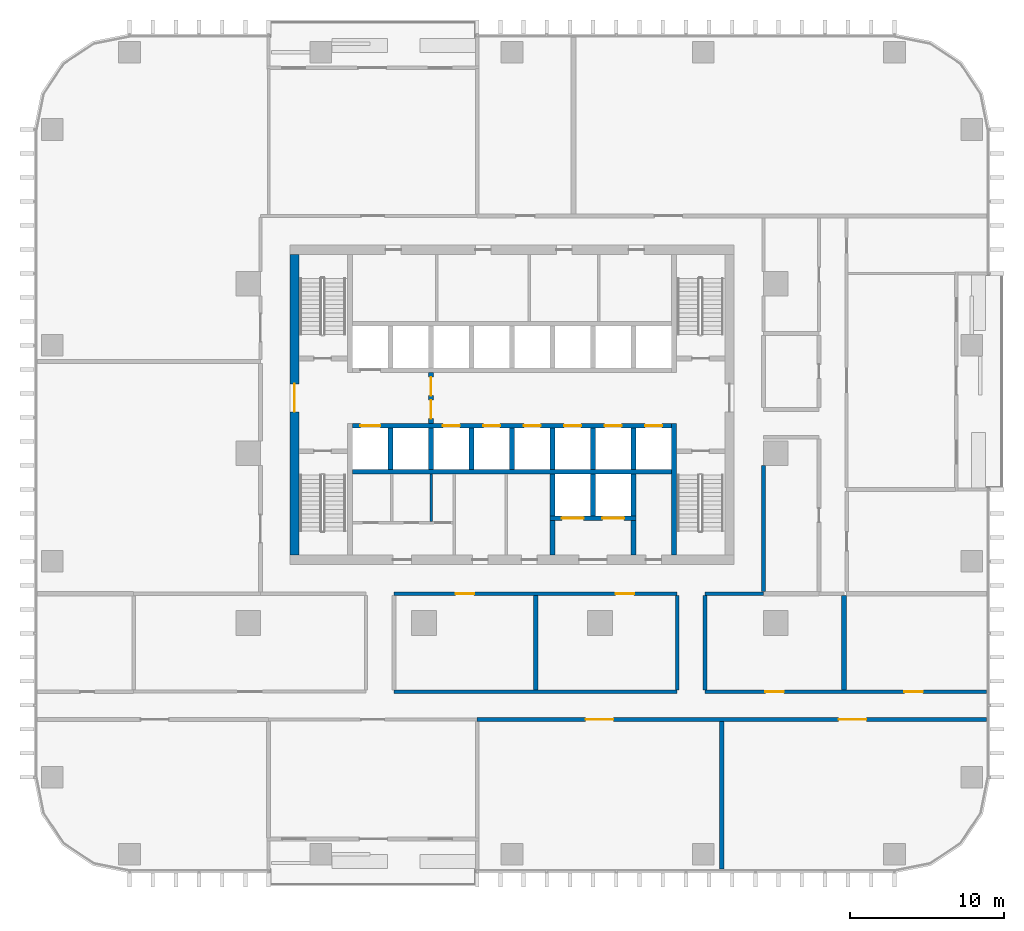
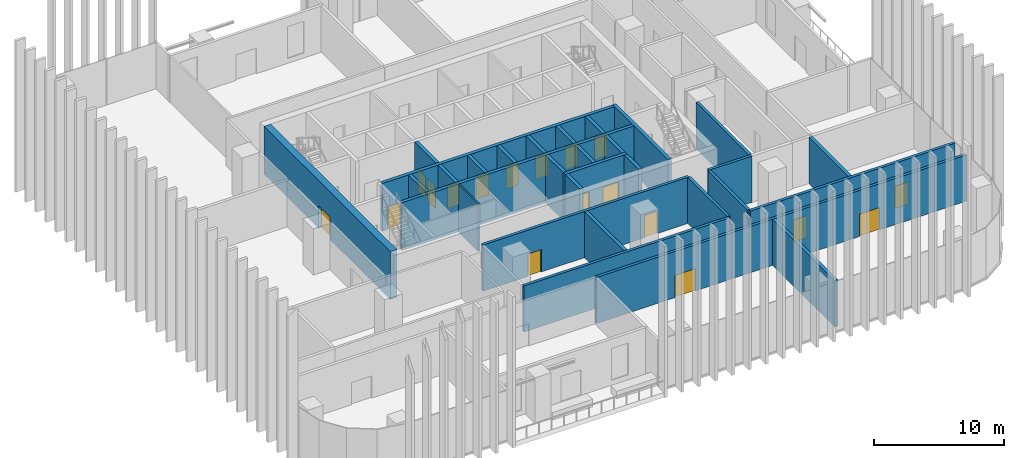
# One storey, part 8 of 17: 30 walls, 18 doors, 18 openings.
"""IFC4 building model written with IfcOpenShell, lengths in metres."""

from ifc_helpers import new_model, si_unit, direction, frame, frame_2d, origin, place, context, subcontext, project, spatial, rectangle, extrude, material, layer, layer_set, type_object, element, fill, save


model = new_model("IFC4")

# Units and contexts
model_context = context("Model", 3, precision=1e-05, world=origin(), true_north=direction((0.0, 1.0)))
body_context = subcontext(model_context, "Body", "Model", "MODEL_VIEW")
ifc_project = project(units=[si_unit("LENGTHUNIT", "METRE"), si_unit("AREAUNIT", "SQUARE_METRE"), si_unit("VOLUMEUNIT", "CUBIC_METRE"), si_unit("PLANEANGLEUNIT", "RADIAN"), si_unit("MASSUNIT", "GRAM", prefix="KILO")], contexts=[model_context])

# Site, building, storey
site_placement = place(None, origin())
site = spatial("IfcSite", under=ifc_project, at=site_placement, CompositionType="ELEMENT")
building_placement = place(site_placement, origin())
building = spatial("IfcBuilding", under=site, at=building_placement, Name="Mopane Tessera Tower", CompositionType="ELEMENT")
storey_placement = place(building_placement, frame((0.0, 0.0, 74.199951171875)))
storey = spatial("IfcBuildingStorey", under=building, at=storey_placement, Name="L14", CompositionType="ELEMENT", Elevation=74.199951171875)

# Wall
ifc_material_1 = material(Name="Fire-rated gypsum board partition")
ifc_layer_1 = layer(ifc_material_1, 0.14990234375)
ifc_layer_set_1 = layer_set([ifc_layer_1], Name="Fire-rated gypsum board partition")
wall_type_1 = type_object("IfcWallType", Name="Core room partition 150 mm", PredefinedType="PARTITIONING", material=ifc_layer_set_1)
wall_1_placement = place(storey_placement, frame((-5.235107421875, -4.425048828125, 0.0), z_axis=(0.0, 0.0, 1.0), x_axis=(0.0, 1.0, 0.0)))
element("IfcWall", 1, at=wall_1_placement, inside=storey, type_object=wall_type_1, Name="L14 WC partition", PredefinedType="PARTITIONING", context=body_context, shape_type="SweptSolid", body=[
    extrude(rectangle(XDim=3.074951171875, YDim=0.14990234375, at=frame_2d((1.53759765625, 0.0))), origin(), (0.0, 0.0, 1.0), 4.5),
])

# Wall, opening, door
ifc_material_2 = material(Name="Concrete C70/85", Category="concrete")
ifc_layer_2 = layer(ifc_material_2, 0.60009765625)
ifc_layer_set_2 = layer_set([ifc_layer_2], Name="Concrete C70/85")
wall_type_2 = type_object("IfcWallType", Name="Core shear wall 600 mm", PredefinedType="SHEAR", material=ifc_layer_set_2)
wall_2_placement = place(storey_placement, frame((-14.10009765625, -6.60009765625, 0.0), z_axis=(0.0, 0.0, 1.0), x_axis=(0.0, 1.0, 0.0)))
wall_2 = element("IfcWall", 2, at=wall_2_placement, inside=storey, type_object=wall_type_2, Name="L14 Core wall west", PredefinedType="SHEAR", context=body_context, shape_type="SweptSolid", body=[
    extrude(rectangle(XDim=19.5, YDim=0.60009765625, at=frame_2d((9.75, 0.0))), origin(), (0.0, 0.0, 1.0), 4.5),
])
opening_1_placement = place(wall_2_placement, frame((9.300048828125, 0.0, 0.0)))
opening_1 = element("IfcOpeningElement", 3, at=opening_1_placement, cuts=wall_2, Name="Opening SD2", PredefinedType="OPENING", context=body_context, shape_type="SweptSolid", body=[
    extrude(rectangle(XDim=1.800048828125, YDim=2.10009765625, at=frame_2d((0.89990234375, 1.050048828125))), frame((0.0, 0.31201171875, 0.0), z_axis=(0.0, -1.0, 0.0), x_axis=(1.0, 0.0, 0.0)), (0.0, 0.0, 1.0), 0.6240234375),
])
ifc_material_3 = material(Name="Steel fire door", Category="steel")
door_type_1 = type_object("IfcDoorType", Name="Core entrance double door 1800 x 2100", OperationType="DOUBLE_DOOR_SINGLE_SWING", PredefinedType="DOOR", material=ifc_material_3)
door_1_placement = place(opening_1_placement, origin())
door_1 = element("IfcDoor", 4, at=door_1_placement, inside=storey, type_object=door_type_1, Name="L14 Core entrance door west", OperationType="DOUBLE_DOOR_SINGLE_SWING", OverallHeight=2.10009765625, OverallWidth=1.800048828125, PredefinedType="DOOR", context=body_context, shape_type="SweptSolid", body=[
    extrude(rectangle(XDim=1.800048828125, YDim=2.10009765625, at=frame_2d((0.89990234375, 1.050048828125))), frame((0.0, 0.02490234375, 0.0), z_axis=(0.0, -1.0, 0.0), x_axis=(1.0, 0.0, 0.0)), (0.0, 0.0, 1.0), 0.050048828125),
])
fill(opening_1, door_1)

# Walls
ifc_material_4 = material(Name="Concrete C60/75", Category="concrete")
ifc_layer_3 = layer(ifc_material_4, 0.300048828125)
ifc_layer_set_3 = layer_set([ifc_layer_3], Name="Concrete C60/75")
wall_type_3 = type_object("IfcWallType", Name="Core spine wall 300 mm", PredefinedType="SHEAR", material=ifc_layer_set_3)
wall_3_placement = place(storey_placement, frame((10.5, -6.60009765625, 0.0), z_axis=(0.0, 0.0, 1.0), x_axis=(0.0, 1.0, 0.0)))
element("IfcWall", 5, at=wall_3_placement, inside=storey, type_object=wall_type_3, Name="L14 Core spine wall", PredefinedType="SHEAR", context=body_context, shape_type="SweptSolid", body=[
    extrude(rectangle(XDim=8.550048828125, YDim=0.300048828125, at=frame_2d((4.27490234375, 0.0))), origin(), (0.0, 0.0, 1.0), 4.5),
])
ifc_material_5 = material(Name="Concrete C50/60", Category="concrete")
ifc_layer_4 = layer(ifc_material_5, 0.300048828125)
ifc_layer_set_4 = layer_set([ifc_layer_4], Name="Concrete C50/60")
wall_type_4 = type_object("IfcWallType", Name="Lift and stair shaft wall 300 mm", PredefinedType="SOLIDWALL", material=ifc_layer_set_4)
wall_4_placement = place(storey_placement, frame((-10.35009765625, -1.199951171875, 0.0), z_axis=(0.0, 0.0, 1.0), x_axis=(1.0, 0.0, 0.0)))
element("IfcWall", 6, at=wall_4_placement, inside=storey, type_object=wall_type_4, Name="L14 Lift shaft rear wall", PredefinedType="SOLIDWALL", context=body_context, shape_type="SweptSolid", body=[
    extrude(rectangle(XDim=20.7001953125, YDim=0.300048828125, at=frame_2d((10.35009765625, 0.0))), origin(), (0.0, 0.0, 1.0), 4.5),
])

# Wall, openings, doors
wall_5_placement = place(storey_placement, frame((-10.35009765625, 1.800048828125, 0.0), z_axis=(0.0, 0.0, 1.0), x_axis=(1.0, 0.0, 0.0)))
wall_5 = element("IfcWall", 7, at=wall_5_placement, inside=storey, type_object=wall_type_4, Name="L14 Lift shaft front wall", PredefinedType="SOLIDWALL", context=body_context, shape_type="SweptSolid", body=[
    extrude(rectangle(XDim=20.7001953125, YDim=0.300048828125, at=frame_2d((10.35009765625, 0.0))), origin(), (0.0, 0.0, 1.0), 4.5),
])
opening_2_placement = place(wall_5_placement, frame((0.512451171875, 0.0, 0.0)))
opening_2 = element("IfcOpeningElement", 8, at=opening_2_placement, cuts=wall_5, Name="Opening LD2", PredefinedType="OPENING", context=body_context, shape_type="SweptSolid", body=[
    extrude(rectangle(XDim=1.300048828125, YDim=2.10009765625, at=frame_2d((0.64990234375, 1.050048828125))), frame((0.0, 0.162109375, 0.0), z_axis=(0.0, -1.0, 0.0), x_axis=(1.0, 0.0, 0.0)), (0.0, 0.0, 1.0), 0.323974609375),
])
opening_3_placement = place(wall_5_placement, frame((5.862548828125, 0.0, 0.0)))
opening_3 = element("IfcOpeningElement", 9, at=opening_3_placement, cuts=wall_5, Name="Opening LD", PredefinedType="OPENING", context=body_context, shape_type="SweptSolid", body=[
    extrude(rectangle(XDim=1.10009765625, YDim=2.10009765625, at=frame_2d((0.550048828125, 1.050048828125))), frame((0.0, 0.162109375, 0.0), z_axis=(0.0, -1.0, 0.0), x_axis=(1.0, 0.0, 0.0)), (0.0, 0.0, 1.0), 0.323974609375),
])
opening_4_placement = place(wall_5_placement, frame((8.487548828125, 0.0, 0.0)))
opening_4 = element("IfcOpeningElement", 10, at=opening_4_placement, cuts=wall_5, Name="Opening LD", PredefinedType="OPENING", context=body_context, shape_type="SweptSolid", body=[
    extrude(rectangle(XDim=1.10009765625, YDim=2.10009765625, at=frame_2d((0.550048828125, 1.050048828125))), frame((0.0, 0.162109375, 0.0), z_axis=(0.0, -1.0, 0.0), x_axis=(1.0, 0.0, 0.0)), (0.0, 0.0, 1.0), 0.323974609375),
])
opening_5_placement = place(wall_5_placement, frame((11.112548828125, 0.0, 0.0)))
opening_5 = element("IfcOpeningElement", 11, at=opening_5_placement, cuts=wall_5, Name="Opening LD", PredefinedType="OPENING", context=body_context, shape_type="SweptSolid", body=[
    extrude(rectangle(XDim=1.10009765625, YDim=2.10009765625, at=frame_2d((0.550048828125, 1.050048828125))), frame((0.0, 0.162109375, 0.0), z_axis=(0.0, -1.0, 0.0), x_axis=(1.0, 0.0, 0.0)), (0.0, 0.0, 1.0), 0.323974609375),
])
opening_6_placement = place(wall_5_placement, frame((13.737548828125, 0.0, 0.0)))
opening_6 = element("IfcOpeningElement", 12, at=opening_6_placement, cuts=wall_5, Name="Opening LD", PredefinedType="OPENING", context=body_context, shape_type="SweptSolid", body=[
    extrude(rectangle(XDim=1.10009765625, YDim=2.10009765625, at=frame_2d((0.550048828125, 1.050048828125))), frame((0.0, 0.162109375, 0.0), z_axis=(0.0, -1.0, 0.0), x_axis=(1.0, 0.0, 0.0)), (0.0, 0.0, 1.0), 0.323974609375),
])
opening_7_placement = place(wall_5_placement, frame((16.362548828125, 0.0, 0.0)))
opening_7 = element("IfcOpeningElement", 13, at=opening_7_placement, cuts=wall_5, Name="Opening LD", PredefinedType="OPENING", context=body_context, shape_type="SweptSolid", body=[
    extrude(rectangle(XDim=1.10009765625, YDim=2.10009765625, at=frame_2d((0.550048828125, 1.050048828125))), frame((0.0, 0.162109375, 0.0), z_axis=(0.0, -1.0, 0.0), x_axis=(1.0, 0.0, 0.0)), (0.0, 0.0, 1.0), 0.323974609375),
])
opening_8_placement = place(wall_5_placement, frame((18.987548828125, 0.0, 0.0)))
opening_8 = element("IfcOpeningElement", 14, at=opening_8_placement, cuts=wall_5, Name="Opening LD", PredefinedType="OPENING", context=body_context, shape_type="SweptSolid", body=[
    extrude(rectangle(XDim=1.10009765625, YDim=2.10009765625, at=frame_2d((0.550048828125, 1.050048828125))), frame((0.0, 0.162109375, 0.0), z_axis=(0.0, -1.0, 0.0), x_axis=(1.0, 0.0, 0.0)), (0.0, 0.0, 1.0), 0.323974609375),
])
ifc_material_6 = material(Name="Stainless steel sliding door", Category="steel")
door_type_2 = type_object("IfcDoorType", Name="Fire-fighting lift landing door 1300 x 2100", OperationType="DOUBLE_DOOR_SLIDING", PredefinedType="DOOR", material=ifc_material_6)
door_2_placement = place(opening_2_placement, origin())
door_2 = element("IfcDoor", 15, at=door_2_placement, inside=storey, type_object=door_type_2, Name="L14 Lift landing door FF1", OperationType="DOUBLE_DOOR_SLIDING", OverallHeight=2.10009765625, OverallWidth=1.300048828125, PredefinedType="DOOR", context=body_context, shape_type="SweptSolid", body=[
    extrude(rectangle(XDim=1.300048828125, YDim=2.10009765625, at=frame_2d((0.64990234375, 1.050048828125))), frame((0.0, 0.02490234375, 0.0), z_axis=(0.0, -1.0, 0.0), x_axis=(1.0, 0.0, 0.0)), (0.0, 0.0, 1.0), 0.050048828125),
])
fill(opening_2, door_2)
ifc_material_7 = material(Name="Stainless steel sliding door", Category="steel")
door_type_3 = type_object("IfcDoorType", Name="Lift landing door 1100 x 2100", OperationType="DOUBLE_DOOR_SLIDING", PredefinedType="DOOR", material=ifc_material_7)
door_3_placement = place(opening_3_placement, origin())
door_3 = element("IfcDoor", 16, at=door_3_placement, inside=storey, type_object=door_type_3, Name="L14 Lift landing door LR1", OperationType="DOUBLE_DOOR_SLIDING", OverallHeight=2.10009765625, OverallWidth=1.10009765625, PredefinedType="DOOR", context=body_context, shape_type="SweptSolid", body=[
    extrude(rectangle(XDim=1.10009765625, YDim=2.10009765625, at=frame_2d((0.550048828125, 1.050048828125))), frame((0.0, 0.02490234375, 0.0), z_axis=(0.0, -1.0, 0.0), x_axis=(1.0, 0.0, 0.0)), (0.0, 0.0, 1.0), 0.050048828125),
])
fill(opening_3, door_3)
door_4_placement = place(opening_4_placement, origin())
door_4 = element("IfcDoor", 17, at=door_4_placement, inside=storey, type_object=door_type_3, Name="L14 Lift landing door LR2", OperationType="DOUBLE_DOOR_SLIDING", OverallHeight=2.10009765625, OverallWidth=1.10009765625, PredefinedType="DOOR", context=body_context, shape_type="SweptSolid", body=[
    extrude(rectangle(XDim=1.10009765625, YDim=2.10009765625, at=frame_2d((0.550048828125, 1.050048828125))), frame((0.0, 0.02490234375, 0.0), z_axis=(0.0, -1.0, 0.0), x_axis=(1.0, 0.0, 0.0)), (0.0, 0.0, 1.0), 0.050048828125),
])
fill(opening_4, door_4)
door_5_placement = place(opening_5_placement, origin())
door_5 = element("IfcDoor", 18, at=door_5_placement, inside=storey, type_object=door_type_3, Name="L14 Lift landing door LR3", OperationType="DOUBLE_DOOR_SLIDING", OverallHeight=2.10009765625, OverallWidth=1.10009765625, PredefinedType="DOOR", context=body_context, shape_type="SweptSolid", body=[
    extrude(rectangle(XDim=1.10009765625, YDim=2.10009765625, at=frame_2d((0.550048828125, 1.050048828125))), frame((0.0, 0.02490234375, 0.0), z_axis=(0.0, -1.0, 0.0), x_axis=(1.0, 0.0, 0.0)), (0.0, 0.0, 1.0), 0.050048828125),
])
fill(opening_5, door_5)
door_6_placement = place(opening_6_placement, origin())
door_6 = element("IfcDoor", 19, at=door_6_placement, inside=storey, type_object=door_type_3, Name="L14 Lift landing door LR4", OperationType="DOUBLE_DOOR_SLIDING", OverallHeight=2.10009765625, OverallWidth=1.10009765625, PredefinedType="DOOR", context=body_context, shape_type="SweptSolid", body=[
    extrude(rectangle(XDim=1.10009765625, YDim=2.10009765625, at=frame_2d((0.550048828125, 1.050048828125))), frame((0.0, 0.02490234375, 0.0), z_axis=(0.0, -1.0, 0.0), x_axis=(1.0, 0.0, 0.0)), (0.0, 0.0, 1.0), 0.050048828125),
])
fill(opening_6, door_6)
door_7_placement = place(opening_7_placement, origin())
door_7 = element("IfcDoor", 20, at=door_7_placement, inside=storey, type_object=door_type_3, Name="L14 Lift landing door LR5", OperationType="DOUBLE_DOOR_SLIDING", OverallHeight=2.10009765625, OverallWidth=1.10009765625, PredefinedType="DOOR", context=body_context, shape_type="SweptSolid", body=[
    extrude(rectangle(XDim=1.10009765625, YDim=2.10009765625, at=frame_2d((0.550048828125, 1.050048828125))), frame((0.0, 0.02490234375, 0.0), z_axis=(0.0, -1.0, 0.0), x_axis=(1.0, 0.0, 0.0)), (0.0, 0.0, 1.0), 0.050048828125),
])
fill(opening_7, door_7)
door_8_placement = place(opening_8_placement, origin())
door_8 = element("IfcDoor", 21, at=door_8_placement, inside=storey, type_object=door_type_3, Name="L14 Lift landing door LR6", OperationType="DOUBLE_DOOR_SLIDING", OverallHeight=2.10009765625, OverallWidth=1.10009765625, PredefinedType="DOOR", context=body_context, shape_type="SweptSolid", body=[
    extrude(rectangle(XDim=1.10009765625, YDim=2.10009765625, at=frame_2d((0.550048828125, 1.050048828125))), frame((0.0, 0.02490234375, 0.0), z_axis=(0.0, -1.0, 0.0), x_axis=(1.0, 0.0, 0.0)), (0.0, 0.0, 1.0), 0.050048828125),
])
fill(opening_8, door_8)

# Walls
for number, where, z_axis, x_axis, name in (
    (22, (-7.875, -1.050048828125, 0.0), (0.0, 0.0, 1.0), (0.0, 1.0, 0.0), "L14 Lift shaft wall"),
    (23, (-5.25, -1.050048828125, 0.0), (0.0, 0.0, 1.0), (0.0, 1.0, 0.0), "L14 Lift shaft wall"),
    (24, (-2.625, -1.050048828125, 0.0), (0.0, 0.0, 1.0), (0.0, 1.0, 0.0), "L14 Lift shaft wall"),
    (25, (0.0, -1.050048828125, 0.0), (0.0, 0.0, 1.0), (0.0, 1.0, 0.0), "L14 Lift shaft wall"),
    (26, (2.625, -1.050048828125, 0.0), (0.0, 0.0, 1.0), (0.0, 1.0, 0.0), "L14 Lift shaft wall"),
    (27, (5.25, -1.050048828125, 0.0), (0.0, 0.0, 1.0), (0.0, 1.0, 0.0), "L14 Lift shaft wall"),
    (28, (7.875, -1.050048828125, 0.0), (0.0, 0.0, 1.0), (0.0, 1.0, 0.0), "L14 Lift shaft wall"),
):
    element("IfcWall", number, at=place(storey_placement, frame(where, z_axis=z_axis, x_axis=x_axis)), inside=storey, type_object=wall_type_4, Name=name, PredefinedType="SOLIDWALL", context=body_context, shape_type="SweptSolid", body=[
        extrude(rectangle(XDim=2.699951171875, YDim=0.300048828125, at=frame_2d((1.35009765625, 0.0))), origin(), (0.0, 0.0, 1.0), 4.5),
    ])

# Wall, openings, doors
wall_6_placement = place(storey_placement, frame((2.47509765625, -4.199951171875, 0.0), z_axis=(0.0, 0.0, 1.0), x_axis=(1.0, 0.0, 0.0)))
wall_6 = element("IfcWall", 29, at=wall_6_placement, inside=storey, type_object=wall_type_4, Name="L14 Lift shaft front wall", PredefinedType="SOLIDWALL", context=body_context, shape_type="SweptSolid", body=[
    extrude(rectangle(XDim=5.5498046875, YDim=0.300048828125, at=frame_2d((2.77490234375, 0.0))), origin(), (0.0, 0.0, 1.0), 4.5),
])
opening_9_placement = place(wall_6_placement, frame((0.762451171875, 0.0, 0.0)))
opening_9 = element("IfcOpeningElement", 30, at=opening_9_placement, cuts=wall_6, Name="Opening LD3", PredefinedType="OPENING", context=body_context, shape_type="SweptSolid", body=[
    extrude(rectangle(XDim=1.39990234375, YDim=2.10009765625, at=frame_2d((0.699951171875, 1.050048828125))), frame((0.0, 0.162109375, 0.0), z_axis=(0.0, -1.0, 0.0), x_axis=(1.0, 0.0, 0.0)), (0.0, 0.0, 1.0), 0.323974609375),
])
opening_10_placement = place(wall_6_placement, frame((3.387451171875, 0.0, 0.0)))
opening_10 = element("IfcOpeningElement", 31, at=opening_10_placement, cuts=wall_6, Name="Opening LD3", PredefinedType="OPENING", context=body_context, shape_type="SweptSolid", body=[
    extrude(rectangle(XDim=1.39990234375, YDim=2.10009765625, at=frame_2d((0.699951171875, 1.050048828125))), frame((0.0, 0.162109375, 0.0), z_axis=(0.0, -1.0, 0.0), x_axis=(1.0, 0.0, 0.0)), (0.0, 0.0, 1.0), 0.323974609375),
])
ifc_material_8 = material(Name="Stainless steel sliding door", Category="steel")
door_type_4 = type_object("IfcDoorType", Name="Service lift landing door 1400 x 2100", OperationType="DOUBLE_DOOR_SLIDING", PredefinedType="DOOR", material=ifc_material_8)
door_9_placement = place(opening_9_placement, origin())
door_9 = element("IfcDoor", 32, at=door_9_placement, inside=storey, type_object=door_type_4, Name="L14 Lift landing door SV1", OperationType="DOUBLE_DOOR_SLIDING", OverallHeight=2.10009765625, OverallWidth=1.39990234375, PredefinedType="DOOR", context=body_context, shape_type="SweptSolid", body=[
    extrude(rectangle(XDim=1.39990234375, YDim=2.10009765625, at=frame_2d((0.699951171875, 1.050048828125))), frame((0.0, 0.02490234375, 0.0), z_axis=(0.0, -1.0, 0.0), x_axis=(1.0, 0.0, 0.0)), (0.0, 0.0, 1.0), 0.050048828125),
])
fill(opening_9, door_9)
door_10_placement = place(opening_10_placement, origin())
door_10 = element("IfcDoor", 33, at=door_10_placement, inside=storey, type_object=door_type_4, Name="L14 Lift landing door SV2", OperationType="DOUBLE_DOOR_SLIDING", OverallHeight=2.10009765625, OverallWidth=1.39990234375, PredefinedType="DOOR", context=body_context, shape_type="SweptSolid", body=[
    extrude(rectangle(XDim=1.39990234375, YDim=2.10009765625, at=frame_2d((0.699951171875, 1.050048828125))), frame((0.0, 0.02490234375, 0.0), z_axis=(0.0, -1.0, 0.0), x_axis=(1.0, 0.0, 0.0)), (0.0, 0.0, 1.0), 0.050048828125),
])
fill(opening_10, door_10)

# Walls
for number, where, z_axis, x_axis, name in (
    (34, (2.625, -4.050048828125, 0.0), (0.0, 0.0, 1.0), (0.0, 1.0, 0.0), "L14 Lift shaft wall"),
    (35, (5.25, -4.050048828125, 0.0), (0.0, 0.0, 1.0), (0.0, 1.0, 0.0), "L14 Lift shaft wall"),
    (36, (7.875, -4.050048828125, 0.0), (0.0, 0.0, 1.0), (0.0, 1.0, 0.0), "L14 Lift shaft wall"),
):
    element("IfcWall", number, at=place(storey_placement, frame(where, z_axis=z_axis, x_axis=x_axis)), inside=storey, type_object=wall_type_4, Name=name, PredefinedType="SOLIDWALL", context=body_context, shape_type="SweptSolid", body=[
        extrude(rectangle(XDim=2.699951171875, YDim=0.300048828125, at=frame_2d((1.35009765625, 0.0))), origin(), (0.0, 0.0, 1.0), 4.5),
    ])

# Wall, openings, doors
ifc_material_9 = material(Name="Concrete C50/60", Category="concrete")
ifc_layer_5 = layer(ifc_material_9, 0.300048828125)
ifc_layer_set_5 = layer_set([ifc_layer_5], Name="Concrete C50/60")
wall_type_5 = type_object("IfcWallType", Name="Lobby and refuge room wall 300 mm", PredefinedType="SOLIDWALL", material=ifc_layer_set_5)
wall_7_placement = place(storey_placement, frame((-5.25, 1.949951171875, 0.0), z_axis=(0.0, 0.0, 1.0), x_axis=(0.0, 1.0, 0.0)))
wall_7 = element("IfcWall", 37, at=wall_7_placement, inside=storey, type_object=wall_type_5, Name="L14 Fire-fighting lobby wall", PredefinedType="SOLIDWALL", context=body_context, shape_type="SweptSolid", body=[
    extrude(rectangle(XDim=3.300048828125, YDim=0.300048828125, at=frame_2d((1.64990234375, 0.0))), origin(), (0.0, 0.0, 1.0), 4.5),
])
opening_11_placement = place(wall_7_placement, frame((0.300048828125, 0.0, 0.0)))
opening_11 = element("IfcOpeningElement", 38, at=opening_11_placement, cuts=wall_7, Name="Opening SD3", PredefinedType="OPENING", context=body_context, shape_type="SweptSolid", body=[
    extrude(rectangle(XDim=1.199951171875, YDim=2.10009765625, at=frame_2d((0.60009765625, 1.050048828125))), frame((0.0, 0.162109375, 0.0), z_axis=(0.0, -1.0, 0.0), x_axis=(1.0, 0.0, 0.0)), (0.0, 0.0, 1.0), 0.323974609375),
])
opening_12_placement = place(wall_7_placement, frame((1.800048828125, 0.0, 0.0)))
opening_12 = element("IfcOpeningElement", 39, at=opening_12_placement, cuts=wall_7, Name="Opening SD3", PredefinedType="OPENING", context=body_context, shape_type="SweptSolid", body=[
    extrude(rectangle(XDim=1.199951171875, YDim=2.10009765625, at=frame_2d((0.60009765625, 1.050048828125))), frame((0.0, 0.162109375, 0.0), z_axis=(0.0, -1.0, 0.0), x_axis=(1.0, 0.0, 0.0)), (0.0, 0.0, 1.0), 0.323974609375),
])
ifc_material_10 = material(Name="Steel fire door", Category="steel")
door_type_5 = type_object("IfcDoorType", Name="Lobby fire door 1200 x 2100", OperationType="SINGLE_SWING_LEFT", PredefinedType="DOOR", material=ifc_material_10)
door_11_placement = place(opening_11_placement, origin())
door_11 = element("IfcDoor", 40, at=door_11_placement, inside=storey, type_object=door_type_5, Name="L14 Fire-fighting lobby door", OperationType="SINGLE_SWING_LEFT", OverallHeight=2.10009765625, OverallWidth=1.199951171875, PredefinedType="DOOR", context=body_context, shape_type="SweptSolid", body=[
    extrude(rectangle(XDim=1.199951171875, YDim=2.10009765625, at=frame_2d((0.60009765625, 1.050048828125))), frame((0.0, 0.02490234375, 0.0), z_axis=(0.0, -1.0, 0.0), x_axis=(1.0, 0.0, 0.0)), (0.0, 0.0, 1.0), 0.050048828125),
])
fill(opening_11, door_11)
door_12_placement = place(opening_12_placement, origin())
door_12 = element("IfcDoor", 41, at=door_12_placement, inside=storey, type_object=door_type_5, Name="L14 Fire-fighting lobby door", OperationType="SINGLE_SWING_RIGHT", OverallHeight=2.10009765625, OverallWidth=1.199951171875, PredefinedType="DOOR", context=body_context, shape_type="SweptSolid", body=[
    extrude(rectangle(XDim=1.199951171875, YDim=2.10009765625, at=frame_2d((0.60009765625, 1.050048828125))), frame((0.0, 0.02490234375, 0.0), z_axis=(0.0, -1.0, 0.0), x_axis=(1.0, 0.0, 0.0)), (0.0, 0.0, 1.0), 0.050048828125),
])
fill(opening_12, door_12)

# Walls
for number, where, z_axis, x_axis, name in (
    (42, (2.625, -6.60009765625, 0.0), (0.0, 0.0, 1.0), (0.0, 1.0, 0.0), "L14 Service lobby wall"),
    (43, (7.875, -6.60009765625, 0.0), (0.0, 0.0, 1.0), (0.0, 1.0, 0.0), "L14 Service lobby wall"),
):
    element("IfcWall", number, at=place(storey_placement, frame(where, z_axis=z_axis, x_axis=x_axis)), inside=storey, type_object=wall_type_5, Name=name, PredefinedType="SOLIDWALL", context=body_context, shape_type="SweptSolid", body=[
        extrude(rectangle(XDim=2.25, YDim=0.300048828125, at=frame_2d((1.125, 0.0))), origin(), (0.0, 0.0, 1.0), 4.5),
    ])
ifc_material_11 = material(Name="Plastered concrete blockwork C20/25", Category="masonry")
ifc_layer_6 = layer(ifc_material_11, 0.300048828125)
ifc_layer_set_6 = layer_set([ifc_layer_6], Name="Plastered concrete blockwork C20/25")
wall_type_6 = type_object("IfcWallType", Name="Plastered blockwork separation wall 300, rated EI 120", PredefinedType="PARTITIONING", material=ifc_layer_set_6)
wall_8_placement = place(storey_placement, frame((1.530029296875, -15.324951171875, 0.0), z_axis=(0.0, 0.0, 1.0), x_axis=(0.0, 1.0, 0.0)))
element("IfcWall", 44, at=wall_8_placement, inside=storey, type_object=wall_type_6, Name="Partition L14:034", PredefinedType="PARTITIONING", context=body_context, shape_type="SweptSolid", body=[
    extrude(rectangle(XDim=6.099853515625, YDim=0.300048828125, at=frame_2d((3.0498046875, 0.0))), origin(), (0.0, 0.0, 1.0), 4.35009765625),
])
wall_9_placement = place(storey_placement, frame((13.594970703125, -26.949951171875, 0.0), z_axis=(0.0, 0.0, 1.0), x_axis=(0.0, 1.0, 0.0)))
element("IfcWall", 45, at=wall_9_placement, inside=storey, type_object=wall_type_6, Name="Partition L14:038", PredefinedType="PARTITIONING", context=body_context, shape_type="SweptSolid", body=[
    extrude(rectangle(XDim=9.574951171875, YDim=0.300048828125, at=frame_2d((4.78759765625, 0.0))), origin(), (0.0, 0.0, 1.0), 4.35009765625),
])
wall_10_placement = place(storey_placement, frame((21.530029296875, -15.324951171875, 0.0), z_axis=(0.0, 0.0, 1.0), x_axis=(0.0, 1.0, 0.0)))
element("IfcWall", 46, at=wall_10_placement, inside=storey, type_object=wall_type_6, Name="Partition L14:046", PredefinedType="PARTITIONING", context=body_context, shape_type="SweptSolid", body=[
    extrude(rectangle(XDim=6.099853515625, YDim=0.300048828125, at=frame_2d((3.0498046875, 0.0))), origin(), (0.0, 0.0, 1.0), 4.35009765625),
])

# Wall, openings, doors
ifc_material_12 = material(Name="Plastered concrete blockwork C20/25", Category="masonry")
ifc_layer_7 = layer(ifc_material_12, 0.25)
ifc_layer_set_7 = layer_set([ifc_layer_7], Name="Plastered concrete blockwork C20/25")
wall_type_7 = type_object("IfcWallType", Name="Plastered blockwork wall 250, rated EI 120", PredefinedType="PARTITIONING", material=ifc_layer_set_7)
wall_11_placement = place(storey_placement, frame((-2.2548828125, -17.25, 0.0), z_axis=(0.0, 0.0, 1.0), x_axis=(1.0, 0.0, 0.0)))
wall_11 = element("IfcWall", 47, at=wall_11_placement, inside=storey, type_object=wall_type_7, Name="Partition L14:002", PredefinedType="PARTITIONING", context=body_context, shape_type="SweptSolid", body=[
    extrude(rectangle(XDim=33.0048828125, YDim=0.25, at=frame_2d((16.50244140625, 0.0))), origin(), (0.0, 0.0, 1.0), 4.35009765625),
])
opening_13_placement = place(wall_11_placement, frame((7.02490234375, 0.0, 0.0)))
opening_13 = element("IfcOpeningElement", 48, at=opening_13_placement, cuts=wall_11, Name="Opening L14-06", PredefinedType="OPENING", context=body_context, shape_type="SweptSolid", body=[
    extrude(rectangle(XDim=1.800048828125, YDim=2.10009765625, at=frame_2d((0.89990234375, 1.050048828125))), frame((0.0, 0.136962890625, 0.0), z_axis=(0.0, -1.0, 0.0), x_axis=(1.0, 0.0, 0.0)), (0.0, 0.0, 1.0), 0.27392578125),
])
opening_14_placement = place(wall_11_placement, frame((23.427490234375, 0.0, 0.0)))
opening_14 = element("IfcOpeningElement", 49, at=opening_14_placement, cuts=wall_11, Name="Opening L14-10", PredefinedType="OPENING", context=body_context, shape_type="SweptSolid", body=[
    extrude(rectangle(XDim=1.800048828125, YDim=2.10009765625, at=frame_2d((0.89990234375, 1.050048828125))), frame((0.0, 0.136962890625, 0.0), z_axis=(0.0, -1.0, 0.0), x_axis=(1.0, 0.0, 0.0)), (0.0, 0.0, 1.0), 0.27392578125),
])
ifc_material_13 = material(Name="Timber veneered steel-framed fire door", Category="steel")
door_type_6 = type_object("IfcDoorType", Name="Fire door pair FD120 1800 x 2100", OperationType="DOUBLE_DOOR_SINGLE_SWING", PredefinedType="DOOR", material=ifc_material_13)
door_13_placement = place(opening_13_placement, origin())
door_13 = element("IfcDoor", 50, at=door_13_placement, inside=storey, type_object=door_type_6, Name="Door L14-06", ObjectType="D20B", OperationType="DOUBLE_DOOR_SINGLE_SWING", OverallHeight=2.10009765625, OverallWidth=1.800048828125, PredefinedType="DOOR", context=body_context, shape_type="SweptSolid", body=[
    extrude(rectangle(XDim=1.800048828125, YDim=2.10009765625, at=frame_2d((0.89990234375, 1.050048828125))), frame((0.0, 0.02490234375, 0.0), z_axis=(0.0, -1.0, 0.0), x_axis=(1.0, 0.0, 0.0)), (0.0, 0.0, 1.0), 0.050048828125),
])
fill(opening_13, door_13)
door_14_placement = place(opening_14_placement, origin())
door_14 = element("IfcDoor", 51, at=door_14_placement, inside=storey, type_object=door_type_6, Name="Door L14-10", ObjectType="D20B", OperationType="DOUBLE_DOOR_SINGLE_SWING", OverallHeight=2.10009765625, OverallWidth=1.800048828125, PredefinedType="DOOR", context=body_context, shape_type="SweptSolid", body=[
    extrude(rectangle(XDim=1.800048828125, YDim=2.10009765625, at=frame_2d((0.89990234375, 1.050048828125))), frame((0.0, 0.02490234375, 0.0), z_axis=(0.0, -1.0, 0.0), x_axis=(1.0, 0.0, 0.0)), (0.0, 0.0, 1.0), 0.050048828125),
])
fill(opening_14, door_14)

# Wall
wall_12_placement = place(storey_placement, frame((-7.655029296875, -15.449951171875, 0.0), z_axis=(0.0, 0.0, 1.0), x_axis=(1.0, 0.0, 0.0)))
element("IfcWall", 52, at=wall_12_placement, inside=storey, type_object=wall_type_7, Name="Partition L14:005", PredefinedType="PARTITIONING", context=body_context, shape_type="SweptSolid", body=[
    extrude(rectangle(XDim=18.364990234375, YDim=0.25, at=frame_2d((9.1826171875, 0.0))), origin(), (0.0, 0.0, 1.0), 4.35009765625),
])

# Wall, openings, doors
wall_13_placement = place(storey_placement, frame((12.510009765625, -15.449951171875, 0.0), z_axis=(0.0, 0.0, 1.0), x_axis=(1.0, 0.0, 0.0)))
wall_13 = element("IfcWall", 53, at=wall_13_placement, inside=storey, type_object=wall_type_7, Name="Partition L14:006", PredefinedType="PARTITIONING", context=body_context, shape_type="SweptSolid", body=[
    extrude(rectangle(XDim=18.239990234375, YDim=0.25, at=frame_2d((9.1201171875, 0.0))), origin(), (0.0, 0.0, 1.0), 4.35009765625),
])
opening_15_placement = place(wall_13_placement, frame((12.929931640625, 0.0, 0.0)))
opening_15 = element("IfcOpeningElement", 54, at=opening_15_placement, cuts=wall_13, Name="Opening L14-02", PredefinedType="OPENING", context=body_context, shape_type="SweptSolid", body=[
    extrude(rectangle(XDim=1.199951171875, YDim=2.10009765625, at=frame_2d((0.60009765625, 1.050048828125))), frame((0.0, 0.136962890625, 0.0), z_axis=(0.0, -1.0, 0.0), x_axis=(1.0, 0.0, 0.0)), (0.0, 0.0, 1.0), 0.27392578125),
])
opening_16_placement = place(wall_13_placement, frame((3.909912109375, 0.0, 0.0)))
opening_16 = element("IfcOpeningElement", 55, at=opening_16_placement, cuts=wall_13, Name="Opening L14-11", PredefinedType="OPENING", context=body_context, shape_type="SweptSolid", body=[
    extrude(rectangle(XDim=1.199951171875, YDim=2.10009765625, at=frame_2d((0.60009765625, 1.050048828125))), frame((0.0, 0.136962890625, 0.0), z_axis=(0.0, -1.0, 0.0), x_axis=(1.0, 0.0, 0.0)), (0.0, 0.0, 1.0), 0.27392578125),
])
ifc_material_14 = material(Name="Timber veneered steel-framed fire door", Category="steel")
door_type_7 = type_object("IfcDoorType", Name="Fire door FD120 1200 x 2100", OperationType="SINGLE_SWING_LEFT", PredefinedType="DOOR", material=ifc_material_14)
door_15_placement = place(opening_15_placement, origin())
door_15 = element("IfcDoor", 56, at=door_15_placement, inside=storey, type_object=door_type_7, Name="Door L14-02", ObjectType="D15B", OperationType="SINGLE_SWING_RIGHT", OverallHeight=2.10009765625, OverallWidth=1.199951171875, PredefinedType="DOOR", context=body_context, shape_type="SweptSolid", body=[
    extrude(rectangle(XDim=1.199951171875, YDim=2.10009765625, at=frame_2d((0.60009765625, 1.050048828125))), frame((0.0, 0.02490234375, 0.0), z_axis=(0.0, -1.0, 0.0), x_axis=(1.0, 0.0, 0.0)), (0.0, 0.0, 1.0), 0.050048828125),
])
fill(opening_15, door_15)
door_16_placement = place(opening_16_placement, origin())
door_16 = element("IfcDoor", 57, at=door_16_placement, inside=storey, type_object=door_type_7, Name="Door L14-11", ObjectType="D15B", OperationType="SINGLE_SWING_LEFT", OverallHeight=2.10009765625, OverallWidth=1.199951171875, PredefinedType="DOOR", context=body_context, shape_type="SweptSolid", body=[
    extrude(rectangle(XDim=1.199951171875, YDim=2.10009765625, at=frame_2d((0.60009765625, 1.050048828125))), frame((0.0, 0.02490234375, 0.0), z_axis=(0.0, -1.0, 0.0), x_axis=(1.0, 0.0, 0.0)), (0.0, 0.0, 1.0), 0.050048828125),
])
fill(opening_16, door_16)

wall_14_placement = place(storey_placement, frame((-7.655029296875, -9.10009765625, 0.0), z_axis=(0.0, 0.0, 1.0), x_axis=(1.0, 0.0, 0.0)))
wall_14 = element("IfcWall", 58, at=wall_14_placement, inside=storey, type_object=wall_type_7, Name="Partition L14:009", PredefinedType="PARTITIONING", context=body_context, shape_type="SweptSolid", body=[
    extrude(rectangle(XDim=18.364990234375, YDim=0.25, at=frame_2d((9.1826171875, 0.0))), origin(), (0.0, 0.0, 1.0), 4.35009765625),
])
opening_17_placement = place(wall_14_placement, frame((3.992431640625, 0.0, 0.0)))
opening_17 = element("IfcOpeningElement", 59, at=opening_17_placement, cuts=wall_14, Name="Opening L14-01", PredefinedType="OPENING", context=body_context, shape_type="SweptSolid", body=[
    extrude(rectangle(XDim=1.199951171875, YDim=2.10009765625, at=frame_2d((0.60009765625, 1.050048828125))), frame((0.0, 0.136962890625, 0.0), z_axis=(0.0, -1.0, 0.0), x_axis=(1.0, 0.0, 0.0)), (0.0, 0.0, 1.0), 0.27392578125),
])
opening_18_placement = place(wall_14_placement, frame((14.375, 0.0, 0.0)))
opening_18 = element("IfcOpeningElement", 60, at=opening_18_placement, cuts=wall_14, Name="Opening L14-13", PredefinedType="OPENING", context=body_context, shape_type="SweptSolid", body=[
    extrude(rectangle(XDim=1.199951171875, YDim=2.10009765625, at=frame_2d((0.60009765625, 1.050048828125))), frame((0.0, 0.136962890625, 0.0), z_axis=(0.0, -1.0, 0.0), x_axis=(1.0, 0.0, 0.0)), (0.0, 0.0, 1.0), 0.27392578125),
])
door_17_placement = place(opening_17_placement, origin())
door_17 = element("IfcDoor", 61, at=door_17_placement, inside=storey, type_object=door_type_7, Name="Door L14-01", ObjectType="D15B", OperationType="SINGLE_SWING_RIGHT", OverallHeight=2.10009765625, OverallWidth=1.199951171875, PredefinedType="DOOR", context=body_context, shape_type="SweptSolid", body=[
    extrude(rectangle(XDim=1.199951171875, YDim=2.10009765625, at=frame_2d((0.60009765625, 1.050048828125))), frame((0.0, 0.02490234375, 0.0), z_axis=(0.0, -1.0, 0.0), x_axis=(1.0, 0.0, 0.0)), (0.0, 0.0, 1.0), 0.050048828125),
])
fill(opening_17, door_17)
door_18_placement = place(opening_18_placement, origin())
door_18 = element("IfcDoor", 62, at=door_18_placement, inside=storey, type_object=door_type_7, Name="Door L14-13", ObjectType="D15B", OperationType="SINGLE_SWING_RIGHT", OverallHeight=2.10009765625, OverallWidth=1.199951171875, PredefinedType="DOOR", context=body_context, shape_type="SweptSolid", body=[
    extrude(rectangle(XDim=1.199951171875, YDim=2.10009765625, at=frame_2d((0.60009765625, 1.050048828125))), frame((0.0, 0.02490234375, 0.0), z_axis=(0.0, -1.0, 0.0), x_axis=(1.0, 0.0, 0.0)), (0.0, 0.0, 1.0), 0.050048828125),
])
fill(opening_18, door_18)

# Walls
wall_15_placement = place(storey_placement, frame((12.510009765625, -9.10009765625, 0.0), z_axis=(0.0, 0.0, 1.0), x_axis=(1.0, 0.0, 0.0)))
element("IfcWall", 63, at=wall_15_placement, inside=storey, type_object=wall_type_7, Name="Partition L14:010", PredefinedType="PARTITIONING", context=body_context, shape_type="SweptSolid", body=[
    extrude(rectangle(XDim=3.7900390625, YDim=0.25, at=frame_2d((1.89501953125, 0.0))), origin(), (0.0, 0.0, 1.0), 4.35009765625),
])
for number, where, z_axis, x_axis, name in (
    (64, (10.7099609375, -15.324951171875, 0.0), (0.0, 0.0, 1.0), (0.0, 1.0, 0.0), "Partition L14:036"),
    (65, (12.510009765625, -15.324951171875, 0.0), (0.0, 0.0, 1.0), (0.0, 1.0, 0.0), "Partition L14:037"),
):
    element("IfcWall", number, at=place(storey_placement, frame(where, z_axis=z_axis, x_axis=x_axis)), inside=storey, type_object=wall_type_7, Name=name, PredefinedType="PARTITIONING", context=body_context, shape_type="SweptSolid", body=[
        extrude(rectangle(XDim=6.099853515625, YDim=0.25, at=frame_2d((3.0498046875, 0.0))), origin(), (0.0, 0.0, 1.0), 4.35009765625),
    ])
wall_16_placement = place(storey_placement, frame((16.300048828125, -8.949951171875, 0.0), z_axis=(0.0, 0.0, 1.0), x_axis=(0.0, 1.0, 0.0)))
element("IfcWall", 66, at=wall_16_placement, inside=storey, type_object=wall_type_7, Name="Partition L14:041", PredefinedType="PARTITIONING", context=body_context, shape_type="SweptSolid", body=[
    extrude(rectangle(XDim=8.14990234375, YDim=0.25, at=frame_2d((4.074951171875, 0.0))), origin(), (0.0, 0.0, 1.0), 4.35009765625),
])

save(model, "model.ifc")
